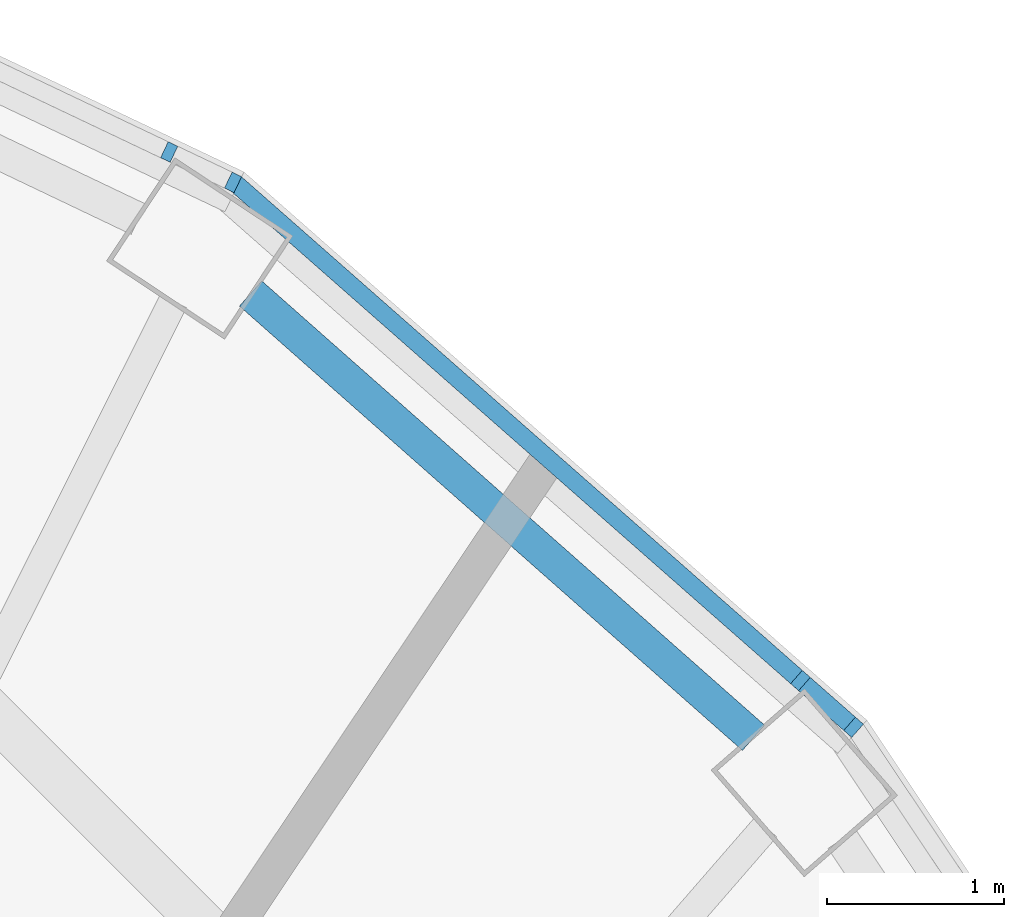
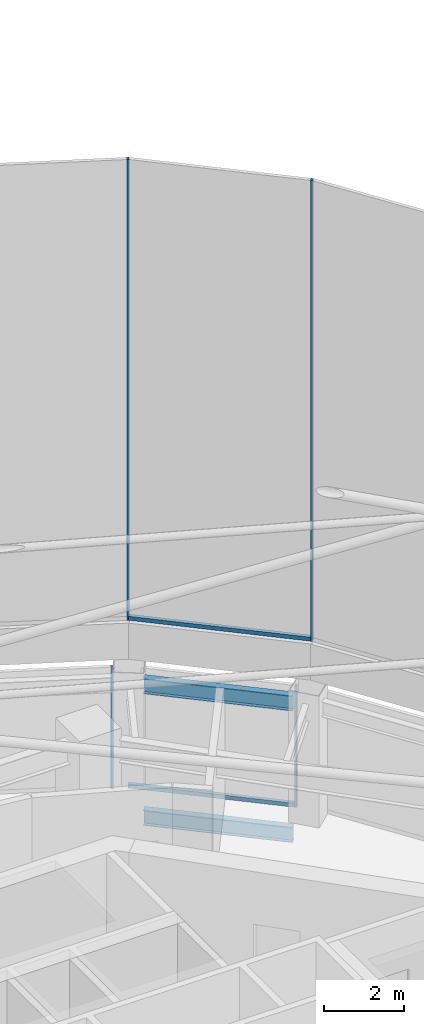
# One storey, part 19 of 25: 6 members, 2 beams, 4 elements without a shape of their own.
"""IFC4 building model written with IfcOpenShell, lengths in metres."""

from ifc_helpers import new_model, si_unit, direction, frame, origin, origin_2d, place, context, subcontext, project, spatial, rectangle, i_section, extrude, material, layer, layer_set, material_profile, profile_set, type_object, element, aggregate, save


model = new_model("IFC4")

# Units and contexts
model_context = context("Model", 3, precision=1e-05, world=origin(), true_north=direction((0.0, 1.0)))
body_context = subcontext(model_context, "Body", "Model", "MODEL_VIEW")
ifc_project = project(units=[si_unit("LENGTHUNIT", "METRE"), si_unit("AREAUNIT", "SQUARE_METRE"), si_unit("VOLUMEUNIT", "CUBIC_METRE"), si_unit("PLANEANGLEUNIT", "RADIAN"), si_unit("MASSUNIT", "GRAM", prefix="KILO")], contexts=[model_context])

# Site, building, storey
site_placement = place(None, origin())
site = spatial("IfcSite", under=ifc_project, at=site_placement, CompositionType="ELEMENT")
building_placement = place(site_placement, origin())
building = spatial("IfcBuilding", under=site, at=building_placement, Name="Nagisa Residences", CompositionType="ELEMENT")
storey_placement = place(building_placement, frame((0.0, 0.0, 340.89990234375)))
storey = spatial("IfcBuildingStorey", under=building, at=storey_placement, Name="L84", CompositionType="ELEMENT", Elevation=340.89990234375)

# Curtain wall, member
ifc_material_1 = material(Name="Aluminium curtain wall system", Category="aluminium")
ifc_layer = layer(ifc_material_1, 0.159912109375)
ifc_layer_set = layer_set([ifc_layer], Name="CW5 CURTAIN WALL")
curtain_wall_type = type_object("IfcCurtainWallType", Name="CW5 CURTAIN WALL", PredefinedType="NOTDEFINED", material=ifc_layer_set)
curtain_wall_1_placement = place(storey_placement, origin())
curtain_wall_1 = element("IfcCurtainWall", 1, at=curtain_wall_1_placement, inside=storey, type_object=curtain_wall_type, Name="cw:CW5:L84:03", PredefinedType="NOTDEFINED")
ifc_material_2 = material(Name="Aluminium", Category="aluminium")
ifc_material_profile_1 = material_profile(ifc_material_2, rectangle(XDim=0.10009765625, YDim=0.06005859375, at=origin_2d()), Name="CW5 MULLION 100x60")
ifc_profile_set_1 = profile_set([ifc_material_profile_1], Name="Aluminium")
member_type_1 = type_object("IfcMemberType", Name="CW5 MULLION 100x60", PredefinedType="MULLION", material=ifc_profile_set_1)
member_1_placement = place(storey_placement, frame((11.645263671875, 14.0126953125, 0.0), z_axis=(0.0, 0.0, 1.0), x_axis=(-0.660699467703, -0.750650526795, 0.0)))
member_1 = element("IfcMember", 2, at=member_1_placement, type_object=member_type_1, Name="CW5 mullion", PredefinedType="MULLION", context=body_context, shape_type="SweptSolid", body=[
    extrude(rectangle(XDim=0.10009765625, YDim=0.06005859375, at=origin_2d()), origin(), (0.0, 0.0, 1.0), 3.7001953125),
])

curtain_wall_2_placement = place(storey_placement, origin())
curtain_wall_2 = element("IfcCurtainWall", 3, at=curtain_wall_2_placement, inside=storey, type_object=curtain_wall_type, Name="cw:CW5:L84:04", PredefinedType="NOTDEFINED")
member_2_placement = place(storey_placement, frame((8.077392578125, 16.999755859375, 0.0), z_axis=(0.0, 0.0, 1.0), x_axis=(-0.429150642757, -0.903232929992, 0.0)))
member_2 = element("IfcMember", 4, at=member_2_placement, type_object=member_type_1, Name="CW5 mullion", PredefinedType="MULLION", context=body_context, shape_type="SweptSolid", body=[
    extrude(rectangle(XDim=0.10009765625, YDim=0.06005859375, at=origin_2d()), origin(), (0.0, 0.0, 1.0), 3.7001953125),
])
aggregate(curtain_wall_2, [member_2])

curtain_wall_3_placement = place(storey_placement, origin())
curtain_wall_3 = element("IfcCurtainWall", 5, at=curtain_wall_3_placement, inside=storey, type_object=curtain_wall_type, Name="cw:CW5:L84:top0:03", PredefinedType="NOTDEFINED")
member_3_placement = place(storey_placement, frame((11.945556640625, 13.748291015625, 5.10009765625), z_axis=(0.0, 0.0, 1.0), x_axis=(-0.660699467703, -0.750650526795, 0.0)))
member_3 = element("IfcMember", 6, at=member_3_placement, type_object=member_type_1, Name="CW5 mullion", PredefinedType="MULLION", context=body_context, shape_type="SweptSolid", body=[
    extrude(rectangle(XDim=0.10009765625, YDim=0.06005859375, at=origin_2d()), origin(), (0.0, 0.0, 1.0), 14.0),
])

curtain_wall_4_placement = place(storey_placement, origin())
curtain_wall_4 = element("IfcCurtainWall", 7, at=curtain_wall_4_placement, inside=storey, type_object=curtain_wall_type, Name="cw:CW5:L84:top0:04", PredefinedType="NOTDEFINED")
member_4_placement = place(storey_placement, frame((8.4384765625, 16.828125, 5.10009765625), z_axis=(0.0, 0.0, 1.0), x_axis=(-0.429150642757, -0.903232929992, 0.0)))
member_4 = element("IfcMember", 8, at=member_4_placement, type_object=member_type_1, Name="CW5 mullion", PredefinedType="MULLION", context=body_context, shape_type="SweptSolid", body=[
    extrude(rectangle(XDim=0.10009765625, YDim=0.06005859375, at=origin_2d()), origin(), (0.0, 0.0, 1.0), 14.0),
])
aggregate(curtain_wall_4, [member_4])

# Member
ifc_material_3 = material(Name="Aluminium", Category="aluminium")
ifc_material_profile_2 = material_profile(ifc_material_3, rectangle(XDim=0.10009765625, YDim=0.1201171875, at=origin_2d()), Name="CW5 TRANSOM 100x120")
ifc_profile_set_2 = profile_set([ifc_material_profile_2], Name="Aluminium")
member_type_2 = type_object("IfcMemberType", Name="CW5 TRANSOM 100x120", PredefinedType="USERDEFINED", material=ifc_profile_set_2)
member_5_placement = place(storey_placement, frame((11.667724609375, 13.992919921875, 0.06005859375), z_axis=(-0.750659327094, 0.660689469151, 0.0), x_axis=(-0.660689469151, -0.750659327094, 0.0)))
member_5 = element("IfcMember", 9, at=member_5_placement, type_object=member_type_2, Name="CW5 transom", ObjectType="TRANSOM", PredefinedType="USERDEFINED", context=body_context, shape_type="SweptSolid", body=[
    extrude(rectangle(XDim=0.10009765625, YDim=0.1201171875, at=origin_2d()), origin(), (0.0, 0.0, 1.0), 4.290283203125),
])

aggregate(curtain_wall_1, [member_1, member_5])

member_6_placement = place(storey_placement, frame((11.968017578125, 13.728515625, 5.16015625), z_axis=(-0.750648459448, 0.660701816502, 0.0), x_axis=(-0.660701816502, -0.750648459448, 0.0)))
member_6 = element("IfcMember", 10, at=member_6_placement, type_object=member_type_2, Name="CW5 transom", ObjectType="TRANSOM", PredefinedType="USERDEFINED", context=body_context, shape_type="SweptSolid", body=[
    extrude(rectangle(XDim=0.10009765625, YDim=0.1201171875, at=origin_2d()), origin(), (0.0, 0.0, 1.0), 4.690185546875),
])

aggregate(curtain_wall_3, [member_3, member_6])

# Beams
ifc_material_4 = material(Name="Steel ASTM A572 Gr 50", Category="steel")
ifc_material_profile_3 = material_profile(ifc_material_4, i_section(OverallWidth=0.18994140625, OverallDepth=0.45703125, WebThickness=0.009033203125, FlangeThickness=0.014404296875, at=origin_2d()), Name="W460x74")
ifc_profile_set_3 = profile_set([ifc_material_profile_3], Name="Steel ASTM A572 Gr 50")
beam_type = type_object("IfcBeamType", Name="Perimeter ring beam W460x74", PredefinedType="BEAM", material=ifc_profile_set_3)
for number, where, z_axis, x_axis, name in (
    (11, (11.3798828125, 13.68896484375, -0.5283203125), (-0.749401876552, 0.662115418503, 0.0), (-0.662115418503, -0.749401876552, 0.0), "beam:L84:pb04"),
    (12, (11.3798828125, 13.68896484375, 3.4716796875), (-0.749401876552, 0.662115418503, 0.0), (-0.662115418503, -0.749401876552, 0.0), "beam:L84:rpb04"),
):
    element("IfcBeam", number, at=place(storey_placement, frame(where, z_axis=z_axis, x_axis=x_axis)), inside=storey, type_object=beam_type, Name=name, PredefinedType="BEAM", context=body_context, shape_type="SweptSolid", body=[
        extrude(i_section(OverallWidth=0.18994140625, OverallDepth=0.45703125, WebThickness=0.009033203125, FlangeThickness=0.014404296875, at=origin_2d()), origin(), (0.0, 0.0, 1.0), 3.792724609375),
    ])

save(model, "model.ifc")
